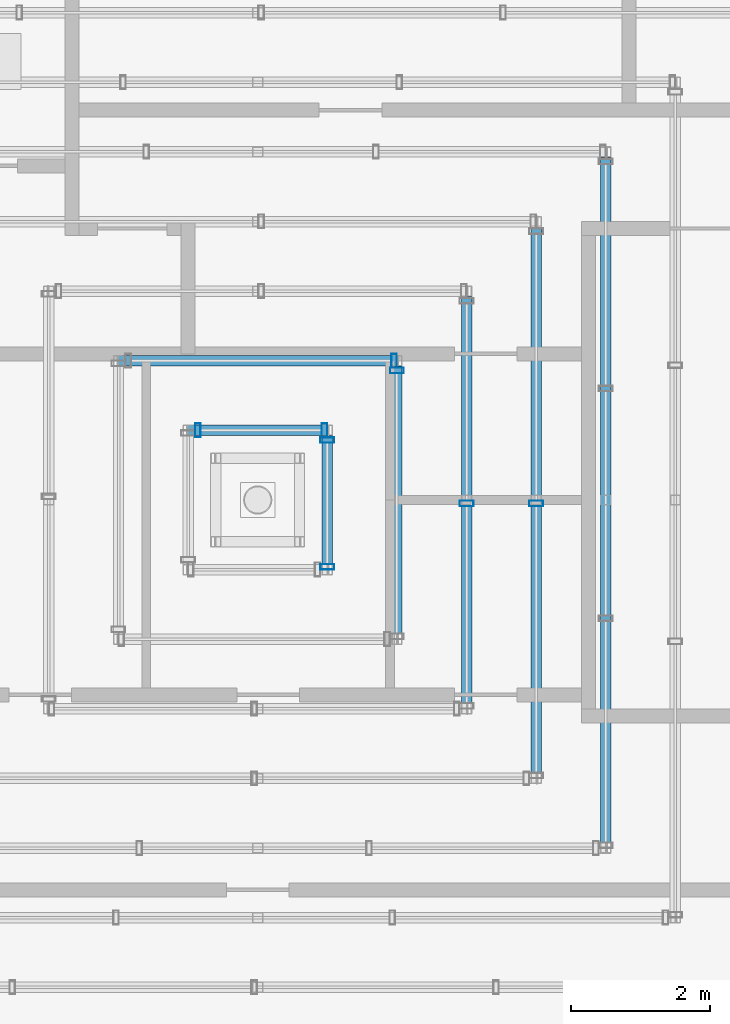
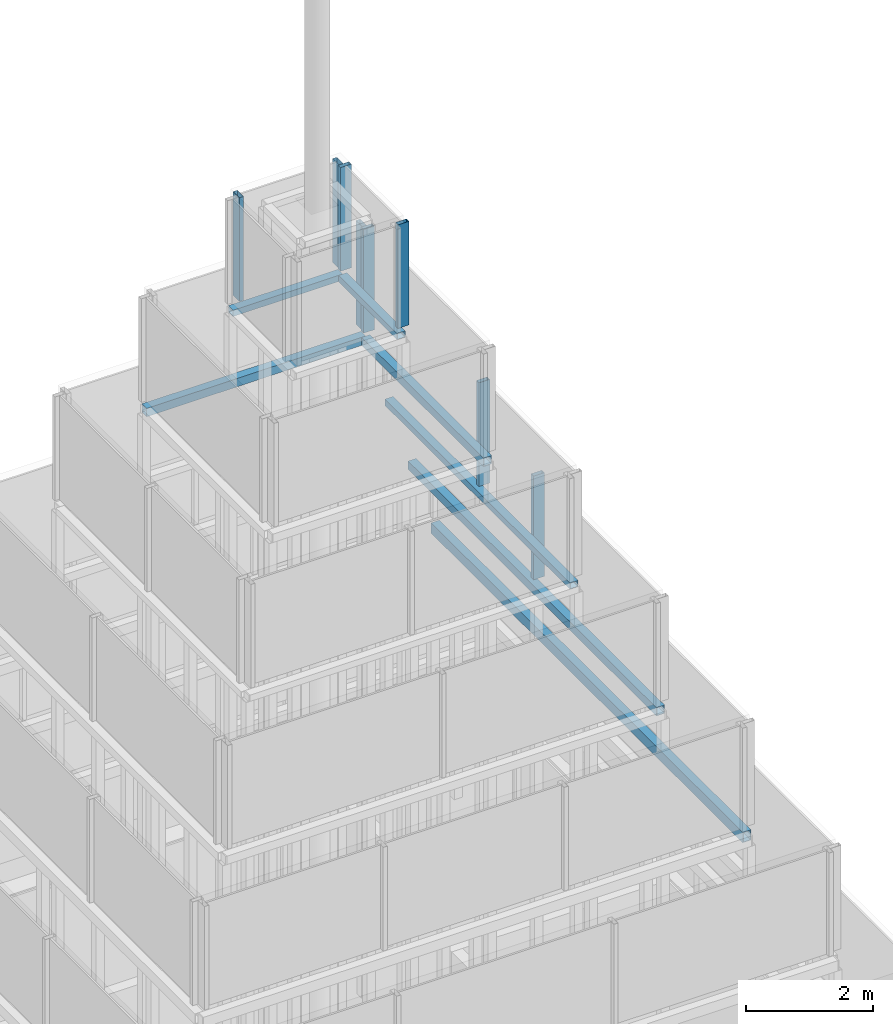
# One storey, part 13 of 24: 8 members, 7 beams, 6 elements without a shape of their own.
"""IFC4 building model written with IfcOpenShell, lengths in metres."""

from ifc_helpers import new_model, si_unit, direction, frame, origin, origin_2d, place, context, subcontext, project, spatial, hollow_rectangle, extrude, material, material_profile, profile_set, type_object, element, aggregate, save


model = new_model("IFC4")

# Units and contexts
model_context = context("Model", 3, precision=1e-05, world=origin(), true_north=direction((0.0, 1.0)))
body_context = subcontext(model_context, "Body", "Model", "MODEL_VIEW")
ifc_project = project(units=[si_unit("LENGTHUNIT", "METRE"), si_unit("AREAUNIT", "SQUARE_METRE"), si_unit("VOLUMEUNIT", "CUBIC_METRE"), si_unit("PLANEANGLEUNIT", "RADIAN"), si_unit("MASSUNIT", "GRAM", prefix="KILO")], contexts=[model_context])

# Site, building, storey
site_placement = place(None, origin())
site = spatial("IfcSite", under=ifc_project, at=site_placement, CompositionType="ELEMENT")
building_placement = place(site_placement, origin())
building = spatial("IfcBuilding", under=site, at=building_placement, Name="Altepetl Exchange Towers", CompositionType="ELEMENT")
storey_placement = place(building_placement, frame((0.0, 0.0, 279.10009765625)))
storey = spatial("IfcBuildingStorey", under=building, at=storey_placement, Name="L70 Crown plant", CompositionType="ELEMENT", Elevation=279.10009765625)

# Beams
ifc_material_1 = material(Name="Steel S355", Category="steel")
ifc_material_profile_1 = material_profile(ifc_material_1, hollow_rectangle(XDim=0.14990234375, YDim=0.1201171875, WallThickness=0.008056640625, at=origin_2d()), Name="RHS 120x150x8")
ifc_profile_set_1 = profile_set([ifc_material_profile_1], Name="Steel S355")
beam_type_1 = type_object("IfcBeamType", Name="Crown ring beam hollow section 150x120x8", PredefinedType="BEAM", material=ifc_profile_set_1)
beam_1_placement = place(storey_placement, frame((52.5, 46.574951171875, 15.039794921875), z_axis=(0.0, 1.0, 0.0), x_axis=(-1.0, 0.0, 0.0)))
element("IfcBeam", 1, at=beam_1_placement, inside=storey, type_object=beam_type_1, Name="Crown ring beam", PredefinedType="BEAM", context=body_context, shape_type="SweptSolid", body=[
    extrude(hollow_rectangle(XDim=0.14990234375, YDim=0.1201171875, WallThickness=0.008056640625, at=origin_2d()), origin(), (0.0, 0.0, 1.0), 5.85009765625),
])
beam_2_placement = place(storey_placement, frame((50.5, 48.574951171875, 19.33984375), z_axis=(0.0, 1.0, 0.0), x_axis=(-1.0, 0.0, 0.0)))
element("IfcBeam", 2, at=beam_2_placement, inside=storey, type_object=beam_type_1, Name="Crown ring beam", PredefinedType="BEAM", context=body_context, shape_type="SweptSolid", body=[
    extrude(hollow_rectangle(XDim=0.14990234375, YDim=0.1201171875, WallThickness=0.008056640625, at=origin_2d()), origin(), (0.0, 0.0, 1.0), 1.85009765625),
])
beam_3_placement = place(storey_placement, frame((50.5, 50.5, 19.33984375), z_axis=(-1.0, 0.0, 0.0), x_axis=(0.0, -1.0, 0.0)))
element("IfcBeam", 3, at=beam_3_placement, inside=storey, type_object=beam_type_1, Name="Crown ring beam", PredefinedType="BEAM", context=body_context, shape_type="SweptSolid", body=[
    extrude(hollow_rectangle(XDim=0.14990234375, YDim=0.1201171875, WallThickness=0.008056640625, at=origin_2d()), origin(), (0.0, 0.0, 1.0), 2.0),
])
ifc_material_profile_2 = material_profile(ifc_material_1, hollow_rectangle(XDim=0.14990234375, YDim=0.159912109375, WallThickness=0.008056640625, at=origin_2d()), Name="RHS 160x150x8")
ifc_profile_set_2 = profile_set([ifc_material_profile_2], Name="Steel S355")
beam_type_2 = type_object("IfcBeamType", Name="Crown ring beam hollow section 150x160x8", PredefinedType="BEAM", material=ifc_profile_set_2)
beam_4_placement = place(storey_placement, frame((53.5, 45.574951171875, 12.869873046875), z_axis=(0.0, 1.0, 0.0), x_axis=(-1.0, 0.0, 0.0)))
element("IfcBeam", 4, at=beam_4_placement, inside=storey, type_object=beam_type_2, Name="Crown ring beam", PredefinedType="BEAM", context=body_context, shape_type="SweptSolid", body=[
    extrude(hollow_rectangle(XDim=0.14990234375, YDim=0.159912109375, WallThickness=0.008056640625, at=origin_2d()), origin(), (0.0, 0.0, 1.0), 7.85009765625),
])
beam_5_placement = place(storey_placement, frame((51.5, 47.574951171875, 17.169921875), z_axis=(0.0, 1.0, 0.0), x_axis=(-1.0, 0.0, 0.0)))
element("IfcBeam", 5, at=beam_5_placement, inside=storey, type_object=beam_type_2, Name="Crown ring beam", PredefinedType="BEAM", context=body_context, shape_type="SweptSolid", body=[
    extrude(hollow_rectangle(XDim=0.14990234375, YDim=0.159912109375, WallThickness=0.008056640625, at=origin_2d()), origin(), (0.0, 0.0, 1.0), 3.85009765625),
])
beam_6_placement = place(storey_placement, frame((51.5, 51.5, 17.169921875), z_axis=(-1.0, 0.0, 0.0), x_axis=(0.0, -1.0, 0.0)))
element("IfcBeam", 6, at=beam_6_placement, inside=storey, type_object=beam_type_2, Name="Crown ring beam", PredefinedType="BEAM", context=body_context, shape_type="SweptSolid", body=[
    extrude(hollow_rectangle(XDim=0.14990234375, YDim=0.159912109375, WallThickness=0.008056640625, at=origin_2d()), origin(), (0.0, 0.0, 1.0), 4.0),
])
ifc_material_profile_3 = material_profile(ifc_material_1, hollow_rectangle(XDim=0.14990234375, YDim=0.199951171875, WallThickness=0.010009765625, at=origin_2d()), Name="RHS 200x150x10")
ifc_profile_set_3 = profile_set([ifc_material_profile_3], Name="Steel S355")
beam_type_3 = type_object("IfcBeamType", Name="Crown ring beam hollow section 150x200x10", PredefinedType="BEAM", material=ifc_profile_set_3)
beam_7_placement = place(storey_placement, frame((54.5, 44.574951171875, 10.699951171875), z_axis=(0.0, 1.0, 0.0), x_axis=(-1.0, 0.0, 0.0)))
element("IfcBeam", 7, at=beam_7_placement, inside=storey, type_object=beam_type_3, Name="Crown ring beam", PredefinedType="BEAM", context=body_context, shape_type="SweptSolid", body=[
    extrude(hollow_rectangle(XDim=0.14990234375, YDim=0.199951171875, WallThickness=0.010009765625, at=origin_2d()), origin(), (0.0, 0.0, 1.0), 9.85009765625),
])

# Curtain wall, member
ifc_material_2 = material(Name="Aluminium 6063-T6 glazing", Category="aluminium")
curtain_wall_type = type_object("IfcCurtainWallType", Name="Crown glazing system", PredefinedType="NOTDEFINED", material=ifc_material_2)
curtain_wall_1_placement = place(storey_placement, origin())
curtain_wall_1 = element("IfcCurtainWall", 8, at=curtain_wall_1_placement, inside=storey, type_object=curtain_wall_type, Name="CW7 run", PredefinedType="NOTDEFINED")
ifc_material_3 = material(Name="Aluminium 6063-T6", Category="aluminium")
ifc_material_profile_4 = material_profile(ifc_material_3, hollow_rectangle(XDim=0.080078125, YDim=0.199951171875, WallThickness=0.0029296875, at=origin_2d()), Name="Mullion 80x200 hollow aluminium")
ifc_profile_set_4 = profile_set([ifc_material_profile_4], Name="Aluminium 6063-T6")
member_type = type_object("IfcMemberType", Name="Mullion 80x200 hollow aluminium", PredefinedType="MULLION", material=ifc_profile_set_4)
member_1_placement = place(storey_placement, frame((53.5, 49.449951171875, 13.099853515625), z_axis=(0.0, 0.0, 1.0), x_axis=(0.0, 1.0, 0.0)))
member_1 = element("IfcMember", 9, at=member_1_placement, type_object=member_type, Name="MU5 mullion", PredefinedType="MULLION", context=body_context, shape_type="SweptSolid", body=[
    extrude(hollow_rectangle(XDim=0.080078125, YDim=0.199951171875, WallThickness=0.0029296875, at=origin_2d()), origin(), (0.0, 0.0, 1.0), 2.0),
])
aggregate(curtain_wall_1, [member_1])

curtain_wall_2_placement = place(storey_placement, origin())
curtain_wall_2 = element("IfcCurtainWall", 10, at=curtain_wall_2_placement, inside=storey, type_object=curtain_wall_type, Name="CW7 run", PredefinedType="NOTDEFINED")
member_2_placement = place(storey_placement, frame((52.5, 49.449951171875, 15.25), z_axis=(0.0, 0.0, 1.0), x_axis=(0.0, 1.0, 0.0)))
member_2 = element("IfcMember", 11, at=member_2_placement, type_object=member_type, Name="MU5 mullion", PredefinedType="MULLION", context=body_context, shape_type="SweptSolid", body=[
    extrude(hollow_rectangle(XDim=0.080078125, YDim=0.199951171875, WallThickness=0.0029296875, at=origin_2d()), origin(), (0.0, 0.0, 1.0), 2.0),
])
aggregate(curtain_wall_2, [member_2])

curtain_wall_3_placement = place(storey_placement, origin())
curtain_wall_3 = element("IfcCurtainWall", 12, at=curtain_wall_3_placement, inside=storey, type_object=curtain_wall_type, Name="CW7 run", PredefinedType="NOTDEFINED")
member_3_placement = place(storey_placement, frame((51.5, 51.360107421875, 17.39990234375), z_axis=(0.0, 0.0, 1.0), x_axis=(0.0, 1.0, 0.0)))
member_3 = element("IfcMember", 13, at=member_3_placement, type_object=member_type, Name="MU5 mullion", PredefinedType="MULLION", context=body_context, shape_type="SweptSolid", body=[
    extrude(hollow_rectangle(XDim=0.080078125, YDim=0.199951171875, WallThickness=0.0029296875, at=origin_2d()), origin(), (0.0, 0.0, 1.0), 2.0),
])
aggregate(curtain_wall_3, [member_3])

curtain_wall_4_placement = place(storey_placement, origin())
curtain_wall_4 = element("IfcCurtainWall", 14, at=curtain_wall_4_placement, inside=storey, type_object=curtain_wall_type, Name="CW7 run", PredefinedType="NOTDEFINED")
member_4_placement = place(storey_placement, frame((51.4599609375, 51.5, 17.39990234375), z_axis=(0.0, 0.0, 1.0), x_axis=(-1.0, 0.0, 0.0)))
member_4 = element("IfcMember", 15, at=member_4_placement, type_object=member_type, Name="MU5 mullion", PredefinedType="MULLION", context=body_context, shape_type="SweptSolid", body=[
    extrude(hollow_rectangle(XDim=0.080078125, YDim=0.199951171875, WallThickness=0.0029296875, at=origin_2d()), origin(), (0.0, 0.0, 1.0), 2.0),
])
aggregate(curtain_wall_4, [member_4])

# Curtain wall, members
curtain_wall_5_placement = place(storey_placement, origin())
curtain_wall_5 = element("IfcCurtainWall", 16, at=curtain_wall_5_placement, inside=storey, type_object=curtain_wall_type, Name="CW7 run", PredefinedType="NOTDEFINED")
member_5_placement = place(storey_placement, frame((50.5, 48.5400390625, 19.5498046875), z_axis=(0.0, 0.0, 1.0), x_axis=(0.0, 1.0, 0.0)))
member_5 = element("IfcMember", 17, at=member_5_placement, type_object=member_type, Name="MU5 mullion", PredefinedType="MULLION", context=body_context, shape_type="SweptSolid", body=[
    extrude(hollow_rectangle(XDim=0.080078125, YDim=0.199951171875, WallThickness=0.0029296875, at=origin_2d()), origin(), (0.0, 0.0, 1.0), 2.0),
])
member_6_placement = place(storey_placement, frame((50.5, 50.360107421875, 19.5498046875), z_axis=(0.0, 0.0, 1.0), x_axis=(0.0, 1.0, 0.0)))
member_6 = element("IfcMember", 18, at=member_6_placement, type_object=member_type, Name="MU5 mullion", PredefinedType="MULLION", context=body_context, shape_type="SweptSolid", body=[
    extrude(hollow_rectangle(XDim=0.080078125, YDim=0.199951171875, WallThickness=0.0029296875, at=origin_2d()), origin(), (0.0, 0.0, 1.0), 2.0),
])
aggregate(curtain_wall_5, [member_5, member_6])

curtain_wall_6_placement = place(storey_placement, origin())
curtain_wall_6 = element("IfcCurtainWall", 19, at=curtain_wall_6_placement, inside=storey, type_object=curtain_wall_type, Name="CW7 run", PredefinedType="NOTDEFINED")
member_7_placement = place(storey_placement, frame((50.4599609375, 50.5, 19.5498046875), z_axis=(0.0, 0.0, 1.0), x_axis=(-1.0, 0.0, 0.0)))
member_7 = element("IfcMember", 20, at=member_7_placement, type_object=member_type, Name="MU5 mullion", PredefinedType="MULLION", context=body_context, shape_type="SweptSolid", body=[
    extrude(hollow_rectangle(XDim=0.080078125, YDim=0.199951171875, WallThickness=0.0029296875, at=origin_2d()), origin(), (0.0, 0.0, 1.0), 2.0),
])
member_8_placement = place(storey_placement, frame((48.639892578125, 50.5, 19.5498046875), z_axis=(0.0, 0.0, 1.0), x_axis=(-1.0, 0.0, 0.0)))
member_8 = element("IfcMember", 21, at=member_8_placement, type_object=member_type, Name="MU5 mullion", PredefinedType="MULLION", context=body_context, shape_type="SweptSolid", body=[
    extrude(hollow_rectangle(XDim=0.080078125, YDim=0.199951171875, WallThickness=0.0029296875, at=origin_2d()), origin(), (0.0, 0.0, 1.0), 2.0),
])
aggregate(curtain_wall_6, [member_7, member_8])

save(model, "model.ifc")
